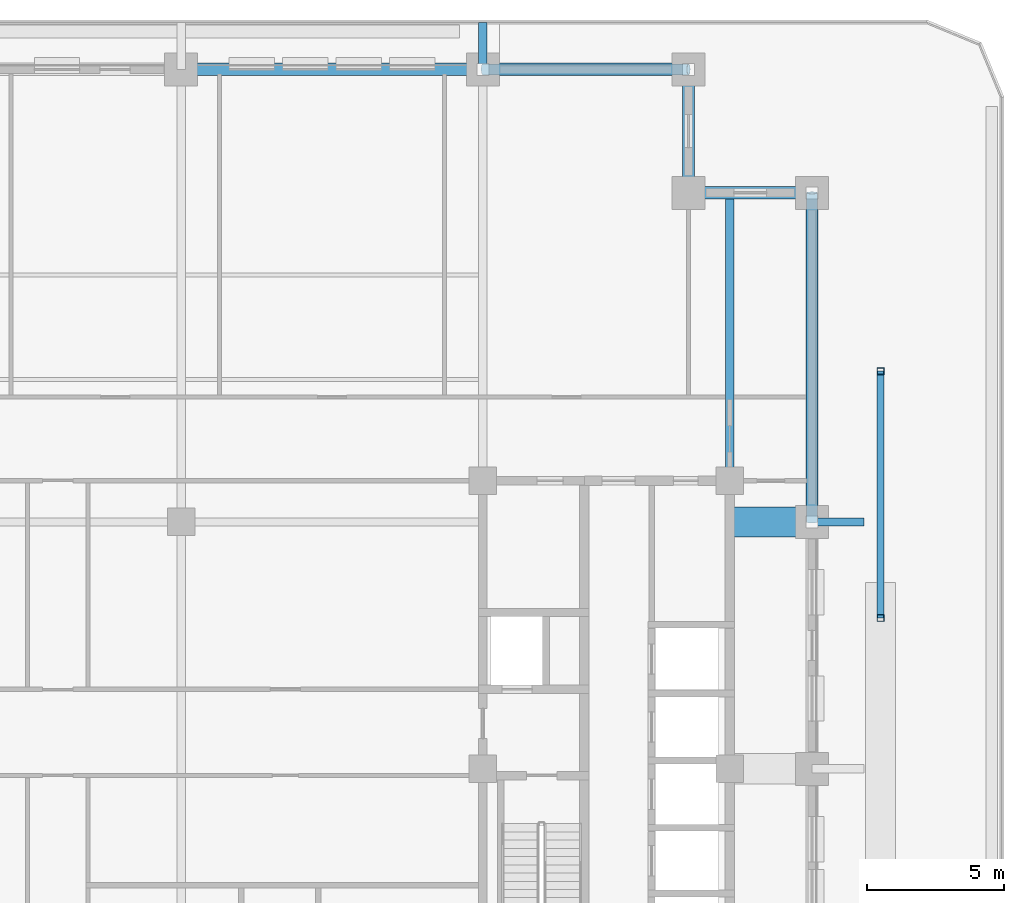
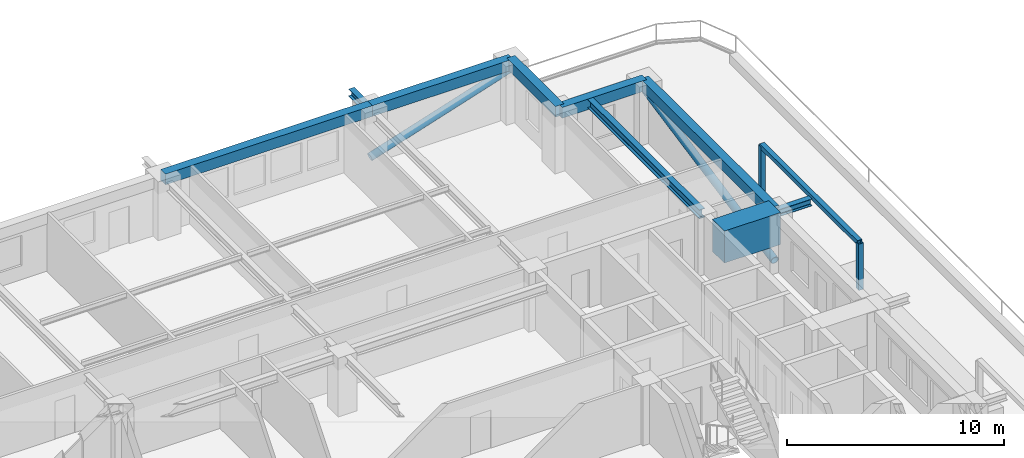
# One storey, part 4 of 17: 9 beams, 5 members.
"""IFC4 building model written with IfcOpenShell, lengths in metres."""

from ifc_helpers import new_model, si_unit, direction, frame, origin, origin_2d, place, context, subcontext, project, spatial, rectangle, hollow_rectangle, hollow_circle, i_section, extrude, material, material_profile, profile_set, type_object, element, save


model = new_model("IFC4")

# Units and contexts
model_context = context("Model", 3, precision=1e-05, world=origin(), true_north=direction((0.0, 1.0)))
body_context = subcontext(model_context, "Body", "Model", "MODEL_VIEW")
ifc_project = project(units=[si_unit("LENGTHUNIT", "METRE"), si_unit("AREAUNIT", "SQUARE_METRE"), si_unit("VOLUMEUNIT", "CUBIC_METRE"), si_unit("PLANEANGLEUNIT", "RADIAN"), si_unit("MASSUNIT", "GRAM", prefix="KILO")], contexts=[model_context])

# Site, building, storey
site_placement = place(None, origin())
site = spatial("IfcSite", under=ifc_project, at=site_placement, CompositionType="ELEMENT")
building_placement = place(site_placement, origin())
building = spatial("IfcBuilding", under=site, at=building_placement, Name="Zulmaris Gate Convention Tower", CompositionType="ELEMENT")
storey_placement = place(building_placement, frame((0.0, 0.0, 121.349853515625)))
storey = spatial("IfcBuildingStorey", under=building, at=storey_placement, Name="L30", CompositionType="ELEMENT", Elevation=121.349853515625)

# Beams
ifc_material_1 = material(Name="Steel S355", Category="steel")
ifc_material_profile_1 = material_profile(ifc_material_1, i_section(OverallWidth=0.300048828125, OverallDepth=0.39990234375, WebThickness=0.013427734375, FlangeThickness=0.02392578125, FilletRadius=0.027099609375, at=origin_2d()), Name="HEB 400")
ifc_profile_set_1 = profile_set([ifc_material_profile_1], Name="Steel S355")
beam_type_1 = type_object("IfcBeamType", Name="BM-HEB400", PredefinedType="BEAM", material=ifc_profile_set_1)
beam_1_placement = place(storey_placement, frame((11.0, 25.5, 2.943115234375), z_axis=(0.0, 1.0, 0.0), x_axis=(-1.0, 0.0, 0.0)))
element("IfcBeam", 1, at=beam_1_placement, inside=storey, type_object=beam_type_1, Name="L30 Beam TBRK-L30-N-+11", PredefinedType="BEAM", context=body_context, shape_type="SweptSolid", body=[
    extrude(i_section(OverallWidth=0.300048828125, OverallDepth=0.39990234375, WebThickness=0.013427734375, FlangeThickness=0.02392578125, FilletRadius=0.027099609375, at=origin_2d()), origin(), (0.0, 0.0, 1.0), 1.699951171875),
])
beam_2_placement = place(storey_placement, frame((23.0, 9.0, 2.97998046875), z_axis=(1.0, 0.0, 0.0), x_axis=(0.0, 1.0, 0.0)))
element("IfcBeam", 2, at=beam_2_placement, inside=storey, type_object=beam_type_1, Name="L30 Beam TBRK-L30-E-+9", PredefinedType="BEAM", context=body_context, shape_type="SweptSolid", body=[
    extrude(i_section(OverallWidth=0.300048828125, OverallDepth=0.39990234375, WebThickness=0.013427734375, FlangeThickness=0.02392578125, FilletRadius=0.027099609375, at=origin_2d()), origin(), (0.0, 0.0, 1.0), 1.89990234375),
])
ifc_material_profile_2 = material_profile(ifc_material_1, i_section(OverallWidth=0.300048828125, OverallDepth=0.5, WebThickness=0.014404296875, FlangeThickness=0.028076171875, FilletRadius=0.027099609375, at=origin_2d()), Name="HEB 500")
ifc_profile_set_2 = profile_set([ifc_material_profile_2], Name="Steel S355")
beam_type_2 = type_object("IfcBeamType", Name="BM-HEB500", PredefinedType="BEAM", material=ifc_profile_set_2)
beam_3_placement = place(storey_placement, frame((20.0, 10.5, 3.068115234375), z_axis=(0.0, 1.0, 0.0), x_axis=(-1.0, 0.0, 0.0)))
element("IfcBeam", 3, at=beam_3_placement, inside=storey, type_object=beam_type_2, Name="L30 Beam BM-L30-G15", PredefinedType="BEAM", context=body_context, shape_type="SweptSolid", body=[
    extrude(i_section(OverallWidth=0.300048828125, OverallDepth=0.5, WebThickness=0.014404296875, FlangeThickness=0.028076171875, FilletRadius=0.027099609375, at=origin_2d()), origin(), (0.0, 0.0, 1.0), 10.5),
])
ifc_material_2 = material(Name="Precast concrete C50/60", Category="concrete")
ifc_material_profile_3 = material_profile(ifc_material_2, rectangle(XDim=0.449951171875, YDim=0.60009765625, at=origin_2d()), Name="RC SPANDREL 450x600")
ifc_profile_set_3 = profile_set([ifc_material_profile_3], Name="Precast concrete C50/60")
beam_type_3 = type_object("IfcBeamType", Name="BM-SP450x600", PredefinedType="SPANDREL", material=ifc_profile_set_3)
beam_4_placement = place(storey_placement, frame((23.0, 9.0, 3.02001953125), z_axis=(0.0, 1.0, 0.0), x_axis=(-1.0, 0.0, 0.0)))
element("IfcBeam", 4, at=beam_4_placement, inside=storey, type_object=beam_type_3, Name="L30 Spandrel SP-L30-10", PredefinedType="SPANDREL", context=body_context, shape_type="SweptSolid", body=[
    extrude(rectangle(XDim=0.449951171875, YDim=0.60009765625, at=origin_2d()), origin(), (0.0, 0.0, 1.0), 12.0),
])
for number, where, z_axis, x_axis, name in (
    (5, (23.0, 21.0, 3.02001953125), (-1.0, 0.0, 0.0), (0.0, -1.0, 0.0), "L30 Spandrel SP-L30-11"),
    (6, (18.5, 21.0, 3.02001953125), (0.0, 1.0, 0.0), (-1.0, 0.0, 0.0), "L30 Spandrel SP-L30-12"),
):
    element("IfcBeam", number, at=place(storey_placement, frame(where, z_axis=z_axis, x_axis=x_axis)), inside=storey, type_object=beam_type_3, Name=name, PredefinedType="SPANDREL", context=body_context, shape_type="SweptSolid", body=[
        extrude(rectangle(XDim=0.449951171875, YDim=0.60009765625, at=origin_2d()), origin(), (0.0, 0.0, 1.0), 4.5),
    ])
beam_5_placement = place(storey_placement, frame((18.5, 25.5, 3.02001953125), z_axis=(-1.0, 0.0, 0.0), x_axis=(0.0, -1.0, 0.0)))
element("IfcBeam", 7, at=beam_5_placement, inside=storey, type_object=beam_type_3, Name="L30 Spandrel SP-L30-13", PredefinedType="SPANDREL", context=body_context, shape_type="SweptSolid", body=[
    extrude(rectangle(XDim=0.449951171875, YDim=0.60009765625, at=origin_2d()), origin(), (0.0, 0.0, 1.0), 7.5),
])
beam_6_placement = place(storey_placement, frame((11.0, 25.5, 3.02001953125), z_axis=(-1.0, 0.0, 0.0), x_axis=(0.0, -1.0, 0.0)))
element("IfcBeam", 8, at=beam_6_placement, inside=storey, type_object=beam_type_3, Name="L30 Spandrel SP-L30-14", PredefinedType="SPANDREL", context=body_context, shape_type="SweptSolid", body=[
    extrude(rectangle(XDim=0.449951171875, YDim=0.60009765625, at=origin_2d()), origin(), (0.0, 0.0, 1.0), 11.0),
])
ifc_material_3 = material(Name="Concrete C80/95", Category="concrete")
ifc_material_profile_4 = material_profile(ifc_material_3, rectangle(XDim=1.10009765625, YDim=1.800048828125, at=origin_2d()), Name="RC TRANSFER 1100x1800")
ifc_profile_set_4 = profile_set([ifc_material_profile_4], Name="Concrete C80/95")
beam_type_4 = type_object("IfcBeamType", Name="BM-XFER1800", PredefinedType="BEAM", material=ifc_profile_set_4)
beam_7_placement = place(storey_placement, frame((20.0, 9.0, 2.420166015625), z_axis=(1.0, 0.0, 0.0), x_axis=(0.0, 1.0, 0.0)))
element("IfcBeam", 9, at=beam_7_placement, inside=storey, type_object=beam_type_4, Name="L30 Beam BM-L30-G21", PredefinedType="BEAM", context=body_context, shape_type="SweptSolid", body=[
    extrude(rectangle(XDim=1.10009765625, YDim=1.800048828125, at=origin_2d()), origin(), (0.0, 0.0, 1.0), 3.0),
])

# Members
ifc_material_4 = material(Name="Steel S460", Category="steel")
ifc_material_profile_5 = material_profile(ifc_material_4, hollow_circle(Radius=0.203125, WallThickness=0.02001953125, at=origin_2d()), Name="CHS 406.4x20")
ifc_profile_set_5 = profile_set([ifc_material_profile_5], Name="Steel S460")
member_type_1 = type_object("IfcMemberType", Name="BR-CHS406", PredefinedType="BRACE", material=ifc_profile_set_5)
member_1_placement = place(storey_placement, frame((23.0, 9.0, 0.300048828125), z_axis=(0.0, 0.980582210276, 0.196108462057), x_axis=(-1.0, 0.0, 0.0)))
element("IfcMember", 10, at=member_1_placement, inside=storey, type_object=member_type_1, Name="L30 Perimeter Tube Diagonal NE-E", PredefinedType="BRACE", context=body_context, shape_type="SweptSolid", body=[
    extrude(hollow_circle(Radius=0.203125, WallThickness=0.02001953125, at=origin_2d()), origin(), (0.0, 0.0, 1.0), 12.237548828125),
])
member_2_placement = place(storey_placement, frame((11.0, 25.5, 0.300048828125), z_axis=(0.95242774696, 0.0, 0.304764477624), x_axis=(0.0, 1.0, 0.0)))
element("IfcMember", 11, at=member_2_placement, inside=storey, type_object=member_type_1, Name="L30 Perimeter Tube Diagonal NE-N", PredefinedType="BRACE", context=body_context, shape_type="SweptSolid", body=[
    extrude(hollow_circle(Radius=0.203125, WallThickness=0.02001953125, at=origin_2d()), origin(), (0.0, 0.0, 1.0), 7.87451171875),
])
ifc_material_profile_6 = material_profile(ifc_material_1, hollow_rectangle(XDim=0.25, YDim=0.25, WallThickness=0.012451171875, at=origin_2d()), Name="SHS 250x250x12.5")
ifc_profile_set_6 = profile_set([ifc_material_profile_6], Name="Steel S355")
member_type_2 = type_object("IfcMemberType", Name="ST-SHS250", PredefinedType="STRUT", material=ifc_profile_set_6)
for number, where, z_axis, x_axis, name in (
    (12, (25.5, 5.5, -0.0400390625), (0.0, 0.0, 1.0), (1.0, 0.0, 0.0), "L30 Exposed Terrace Planted Pergola Post 2A"),
    (13, (25.5, 14.5, -0.0400390625), (0.0, 0.0, 1.0), (1.0, 0.0, 0.0), "L30 Exposed Terrace Planted Pergola Post 2B"),
):
    element("IfcMember", number, at=place(storey_placement, frame(where, z_axis=z_axis, x_axis=x_axis)), inside=storey, type_object=member_type_2, Name=name, PredefinedType="STRUT", context=body_context, shape_type="SweptSolid", body=[
        extrude(hollow_rectangle(XDim=0.25, YDim=0.25, WallThickness=0.012451171875, at=origin_2d()), origin(), (0.0, 0.0, 1.0), 2.60009765625),
    ])
member_3_placement = place(storey_placement, frame((25.5, 5.5, 2.56005859375), z_axis=(0.0, 1.0, 0.0), x_axis=(-1.0, 0.0, 0.0)))
element("IfcMember", 14, at=member_3_placement, inside=storey, type_object=member_type_2, Name="L30 Exposed Terrace Planted Pergola Beam 2", PredefinedType="STRUT", context=body_context, shape_type="SweptSolid", body=[
    extrude(hollow_rectangle(XDim=0.25, YDim=0.25, WallThickness=0.012451171875, at=origin_2d()), origin(), (0.0, 0.0, 1.0), 9.0),
])

save(model, "model.ifc")
